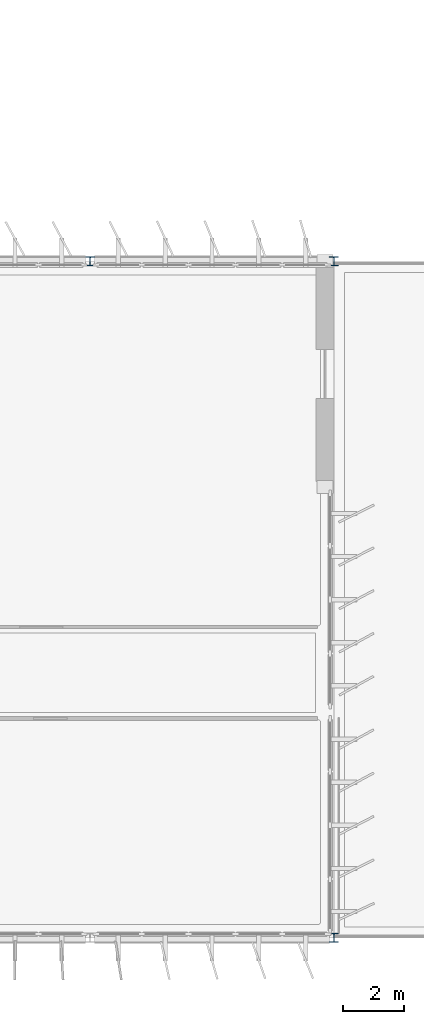
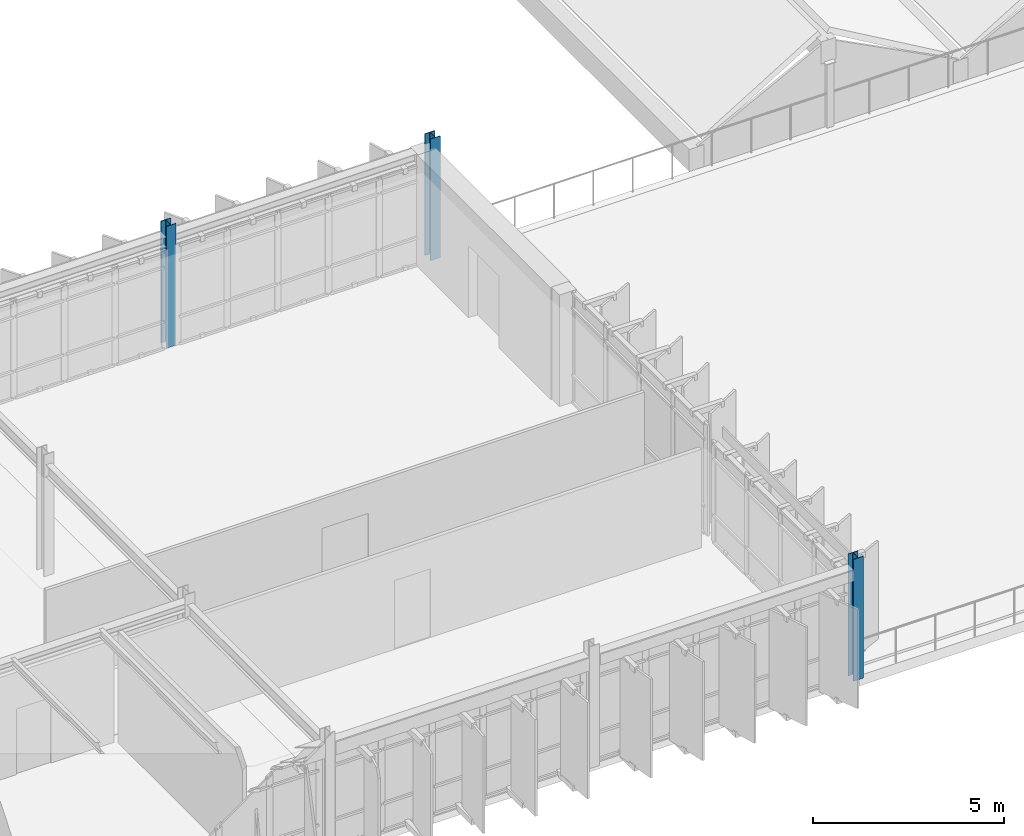
# One storey, part 3 of 35: 3 columns.
"""IFC4 building model written with IfcOpenShell, lengths in metres."""

from ifc_helpers import new_model, si_unit, direction, frame, origin, origin_2d, place, context, subcontext, project, spatial, i_section, extrude, material, material_profile, profile_set, type_object, element, save


model = new_model("IFC4")

# Units and contexts
model_context = context("Model", 3, precision=1e-05, world=origin(), true_north=direction((0.0, 1.0)))
body_context = subcontext(model_context, "Body", "Model", "MODEL_VIEW")
ifc_project = project(units=[si_unit("LENGTHUNIT", "METRE"), si_unit("AREAUNIT", "SQUARE_METRE"), si_unit("VOLUMEUNIT", "CUBIC_METRE"), si_unit("PLANEANGLEUNIT", "RADIAN"), si_unit("MASSUNIT", "GRAM", prefix="KILO")], contexts=[model_context])

# Site, building, storey
site_placement = place(None, origin())
site = spatial("IfcSite", under=ifc_project, at=site_placement, CompositionType="ELEMENT")
building_placement = place(site_placement, origin())
building = spatial("IfcBuilding", under=site, at=building_placement, Name="Valkorina Park Police Headquarters", CompositionType="ELEMENT")
storey_placement = place(building_placement, frame((0.0, 0.0, 27.199951171875)))
storey = spatial("IfcBuildingStorey", under=building, at=storey_placement, Name="L07", CompositionType="ELEMENT", Elevation=27.199951171875)

# Columns
ifc_material = material(Name="Steel S355", Category="steel")
ifc_material_profile = material_profile(ifc_material, i_section(OverallWidth=0.300048828125, OverallDepth=0.300048828125, WebThickness=0.010986328125, FlangeThickness=0.01904296875, FilletRadius=0.027099609375, at=origin_2d()), Name="HEB 300")
ifc_profile_set = profile_set([ifc_material_profile], Name="Steel S355")
column_type = type_object("IfcColumnType", Name="COL-S355-HEB300-EXT", PredefinedType="COLUMN", material=ifc_profile_set)
for number, where, z_axis, x_axis, name in (
    (1, (64.800048828125, 59.199951171875, 0.0), (0.0, 0.0, 1.0), (1.0, 0.0, 0.0), "L07 Column 1123"),
    (2, (72.800048828125, 37.0, 0.0), (0.0, 0.0, 1.0), (1.0, 0.0, 0.0), "L07 Column 1124"),
    (3, (72.800048828125, 59.199951171875, 0.0), (0.0, 0.0, 1.0), (1.0, 0.0, 0.0), "L07 Column 1125"),
):
    element("IfcColumn", number, at=place(storey_placement, frame(where, z_axis=z_axis, x_axis=x_axis)), inside=storey, type_object=column_type, Name=name, PredefinedType="COLUMN", context=body_context, shape_type="SweptSolid", body=[
        extrude(i_section(OverallWidth=0.300048828125, OverallDepth=0.300048828125, WebThickness=0.010986328125, FlangeThickness=0.01904296875, FilletRadius=0.027099609375, at=origin_2d()), origin(), (0.0, 0.0, 1.0), 3.900146484375),
    ])

save(model, "model.ifc")
